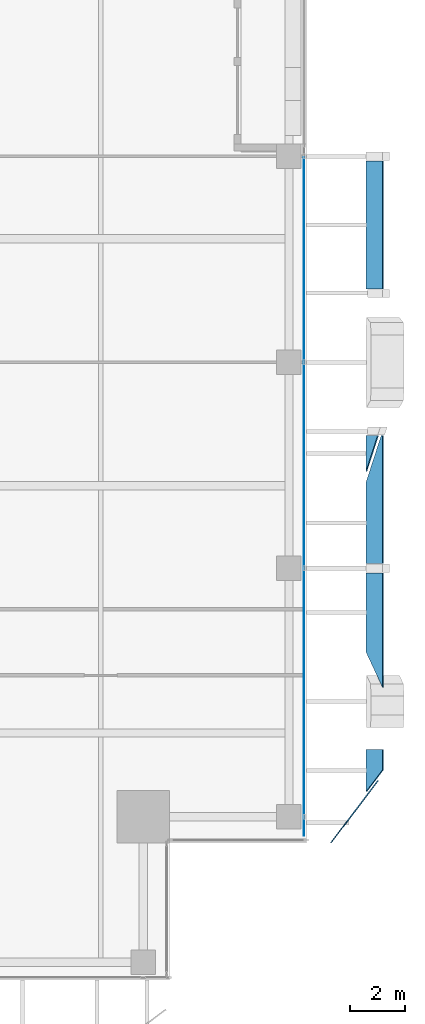
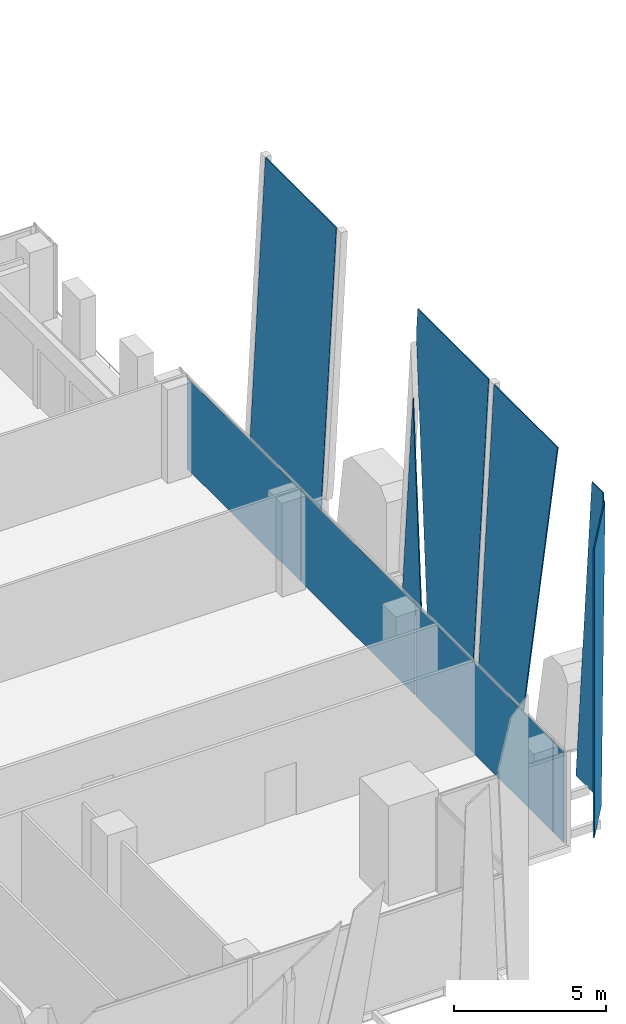
# One storey, part 25 of 35: 10 plates, 1 element without a shape of its own.
"""IFC4 building model written with IfcOpenShell, lengths in metres."""

from ifc_helpers import new_model, si_unit, direction, frame, origin, origin_2d, place, context, subcontext, project, spatial, polyline, rectangle, outline, extrude, source, transform, mapped, material, layer, layer_set, type_object, element, aggregate, save


model = new_model("IFC4")

# Units and contexts
model_context = context("Model", 3, precision=1e-05, world=origin(), true_north=direction((0.0, 1.0)))
body_context = subcontext(model_context, "Body", "Model", "MODEL_VIEW")
ifc_project = project(units=[si_unit("LENGTHUNIT", "METRE"), si_unit("AREAUNIT", "SQUARE_METRE"), si_unit("VOLUMEUNIT", "CUBIC_METRE"), si_unit("PLANEANGLEUNIT", "RADIAN"), si_unit("MASSUNIT", "GRAM", prefix="KILO")], contexts=[model_context])

# Site, building, storey
site_placement = place(None, origin())
site = spatial("IfcSite", under=ifc_project, at=site_placement, CompositionType="ELEMENT")
building_placement = place(site_placement, origin())
building = spatial("IfcBuilding", under=site, at=building_placement, Name="Khomas Fold Tower", CompositionType="ELEMENT")
storey_placement = place(building_placement, frame((0.0, 0.0, 246.199951171875)))
storey = spatial("IfcBuildingStorey", under=building, at=storey_placement, Name="L55", CompositionType="ELEMENT", Elevation=246.199951171875)

# Plates
ifc_material_1 = material(Name="Clear laminated glass", Category="glass")
ifc_layer_1 = layer(ifc_material_1, 0.0400390625)
ifc_layer_set_1 = layer_set([ifc_layer_1], Name="Clear laminated glass")
plate_type_1 = type_object("IfcPlateType", Name="SK-Clear laminated glass leaf", PredefinedType="SHEET", material=ifc_layer_set_1)
plate_1_placement = place(storey_placement, frame((51.65771484375, 12.89990234375, 0.0), z_axis=(-0.99862882819, 0.0, 0.052349436554), x_axis=(0.0, -1.0, 0.0)))
element("IfcPlate", 1, at=plate_1_placement, inside=storey, type_object=plate_type_1, Name="OUTER SKIN glass L55 EG098-1", PredefinedType="SHEET", context=body_context, shape_type="SweptSolid", body=[
    extrude(outline(polyline([(0.0, 0.0), (1.537841796875, 0.0), (0.73828125, 11.565907674683308), (0.0, 11.565907674683308), (0.0, 0.0)])), origin(), (0.0, 0.0, -1.0), 0.0400390625),
])
plate_2_placement = place(storey_placement, frame((52.111328125, 11.7607421875, 11.550048828125), z_axis=(0.797299588726, -0.603583768678, 2.443108e-06), x_axis=(-0.052205731968, -0.068964814395, -0.996252184904)))
element("IfcPlate", 2, at=plate_2_placement, inside=storey, type_object=plate_type_1, Name="OUTER SKIN glass L55 EG098-2", PredefinedType="SHEET", context=body_context, shape_type="SweptSolid", body=[
    extrude(outline(polyline([(0.0, 0.0), (11.593499119212783, 2.220446049250313e-16), (11.752019281736512, -1.8258160303914475), (0.24525790097347536, -2.824850793277989), (0.0, 0.0)])), origin(), (0.0, 0.0, -1.0), 0.0400390625),
])
plate_3_placement = place(storey_placement, frame((51.65771484375, 23.030029296875, 0.0), z_axis=(-0.998628521762, 0.0, 0.052355281723), x_axis=(0.051686900447, 0.159278208841, 0.985879767776)))
element("IfcPlate", 3, at=plate_3_placement, inside=storey, type_object=plate_type_1, Name="OUTER SKIN glass L55 EG100-3", PredefinedType="SHEET", context=body_context, shape_type="SweptSolid", body=[
    extrude(outline(polyline([(0.0, 0.0), (8.162126116200312, 0.0), (0.2070694487499521, 1.2834520633446256), (0.0, 0.0)])), origin(), (0.0, 0.0, -1.0), 0.0400390625),
])
plate_4_placement = place(storey_placement, frame((51.65771484375, 16.451171875, 0.0), z_axis=(-0.99862882819, 0.0, 0.052349436554), x_axis=(0.052022197367, -0.111637957414, 0.99238634485)))
element("IfcPlate", 4, at=plate_4_placement, inside=storey, type_object=plate_type_1, Name="OUTER SKIN glass L55 EG099-5", PredefinedType="SHEET", context=body_context, shape_type="SweptSolid", body=[
    extrude(outline(polyline([(0.0, 0.0), (11.638661583826925, -2.220446049250313e-16), (11.172213340862719, 4.152104358254547), (-0.3213952133360947, 2.8609100498152173), (0.0, 0.0)])), origin(), (0.0, 0.0, -1.0), 0.0400390625),
])
plate_5_placement = place(storey_placement, frame((51.65771484375, 22.624755859375, 0.0), z_axis=(-0.998628747954, -1.0388067e-05, 0.052350966107), x_axis=(1.0373823e-05, -0.999999999946, -5.43825e-07)))
element("IfcPlate", 5, at=plate_5_placement, inside=storey, type_object=plate_type_1, Name="OUTER SKIN glass L55 EG100-7", PredefinedType="SHEET", context=body_context, shape_type="SweptSolid", body=[
    extrude(outline(polyline([(0.0, 0.0), (2.9548339842155693, -3.1285521730404044e-22), (2.9548339840315445, 11.565907674669742), (-1.7053222657170124, 11.565907674669742), (-1.7053222665387608, 10.569419910112424), (0.0, 0.0)])), origin(), (0.0, 0.0, -1.0), 0.0400390625),
])
plate_6_placement = place(storey_placement, frame((51.65771484375, 29.669921875, 0.0), z_axis=(-0.99862882819, 0.0, 0.052349436554), x_axis=(0.052349436554, 0.0, 0.99862882819)))
element("IfcPlate", 6, at=plate_6_placement, inside=storey, type_object=plate_type_1, Name="OUTER SKIN glass L55 EG102-9", PredefinedType="SHEET", context=body_context, shape_type="SweptSolid", body=[
    extrude(outline(polyline([(0.0, 0.0), (11.565907674683308, 0.0), (11.565907674683308, 4.66015625), (0.0, 4.66015625), (0.0, 0.0)])), origin(), (0.0, 0.0, -1.0), 0.0400390625),
])

# Curtain wall, plates
ifc_material_2 = material(Name="Aluminium framed double glazing", Category="aluminium")
curtain_wall_type = type_object("IfcCurtainWallType", Name="SK-Unitised clear-glass wall, office floors CW2", PredefinedType="NOTDEFINED", material=ifc_material_2)
curtain_wall_placement = place(storey_placement, origin())
curtain_wall = element("IfcCurtainWall", 7, at=curtain_wall_placement, inside=storey, type_object=curtain_wall_type, Name="CW2 run L55 03-0", PredefinedType="NOTDEFINED")
ifc_material_3 = material(Name="Clear double glazed unit")
ifc_layer_2 = layer(ifc_material_3, 0.030029296875)
ifc_layer_set_2 = layer_set([ifc_layer_2], Name="Clear double glazed unit")
plate_type_2 = type_object("IfcPlateType", Name="SK-Unitised clear-glass wall, office floors glass panel CW2-P", PredefinedType="CURTAIN_PANEL", material=ifc_layer_set_2)
shared_shape_1 = source(origin(), body_context, "Body", "SweptSolid", [
    extrude(rectangle(XDim=0.659912109375, YDim=0.030029296875, at=origin_2d()), origin(), (0.0, 0.0, 1.0), 3.639892578125),
])
plate_7_placement = place(storey_placement, frame((49.39990234375, 10.090087890625, 0.0), z_axis=(0.0, 0.0, 1.0), x_axis=(0.0, 1.0, 0.0)))
plate_7 = element("IfcPlate", 8, at=plate_7_placement, type_object=plate_type_2, Name="CW2 glass panel 1", PredefinedType="CURTAIN_PANEL", context=body_context, shape_type="MappedRepresentation", body=[
    mapped(shared_shape_1, transform((0.0, 0.0, 0.0))),
])
shared_shape_2 = source(origin(), body_context, "Body", "SweptSolid", [
    extrude(rectangle(XDim=7.43994140625, YDim=0.030029296875, at=origin_2d()), origin(), (0.0, 0.0, 1.0), 3.639892578125),
])
plate_8_placement = place(storey_placement, frame((49.39990234375, 23.25, 0.0), z_axis=(0.0, 0.0, 1.0), x_axis=(0.0, 1.0, 0.0)))
plate_8 = element("IfcPlate", 9, at=plate_8_placement, type_object=plate_type_2, Name="CW2 glass panel 3", PredefinedType="CURTAIN_PANEL", context=body_context, shape_type="MappedRepresentation", body=[
    mapped(shared_shape_2, transform((0.0, 0.0, 0.0))),
])
plate_9_placement = place(storey_placement, frame((49.39990234375, 30.75, 0.0), z_axis=(0.0, 0.0, 1.0), x_axis=(0.0, 1.0, 0.0)))
plate_9 = element("IfcPlate", 10, at=plate_9_placement, type_object=plate_type_2, Name="CW2 glass panel 4", PredefinedType="CURTAIN_PANEL", context=body_context, shape_type="MappedRepresentation", body=[
    mapped(shared_shape_2, transform((0.0, 0.0, 0.0))),
])
shared_shape_3 = source(origin(), body_context, "Body", "SweptSolid", [
    extrude(rectangle(XDim=8.989990234375, YDim=0.030029296875, at=origin_2d()), origin(), (0.0, 0.0, 1.0), 3.639892578125),
])
plate_10_placement = place(storey_placement, frame((49.39990234375, 14.97509765625, 0.0), z_axis=(0.0, 0.0, 1.0), x_axis=(0.0, 1.0, 0.0)))
plate_10 = element("IfcPlate", 11, at=plate_10_placement, type_object=plate_type_2, Name="CW2 glass panel 2", PredefinedType="CURTAIN_PANEL", context=body_context, shape_type="MappedRepresentation", body=[
    mapped(shared_shape_3, transform((0.0, 0.0, 0.0))),
])
aggregate(curtain_wall, [plate_7, plate_10, plate_8, plate_9])

save(model, "model.ifc")
